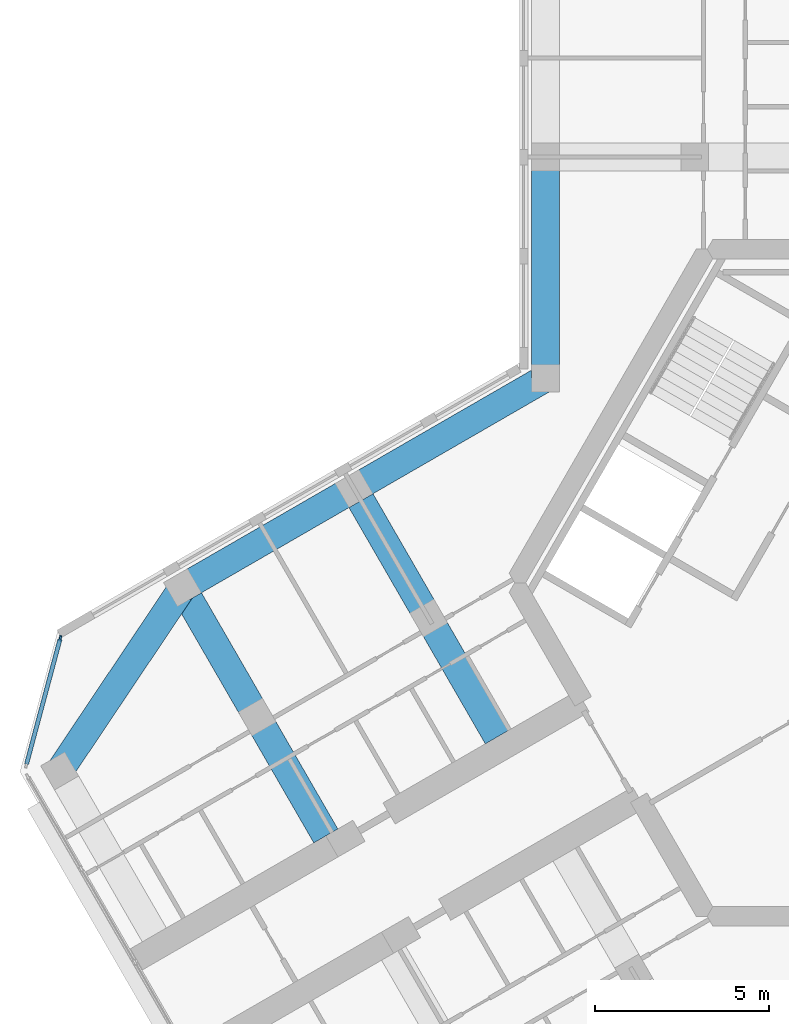
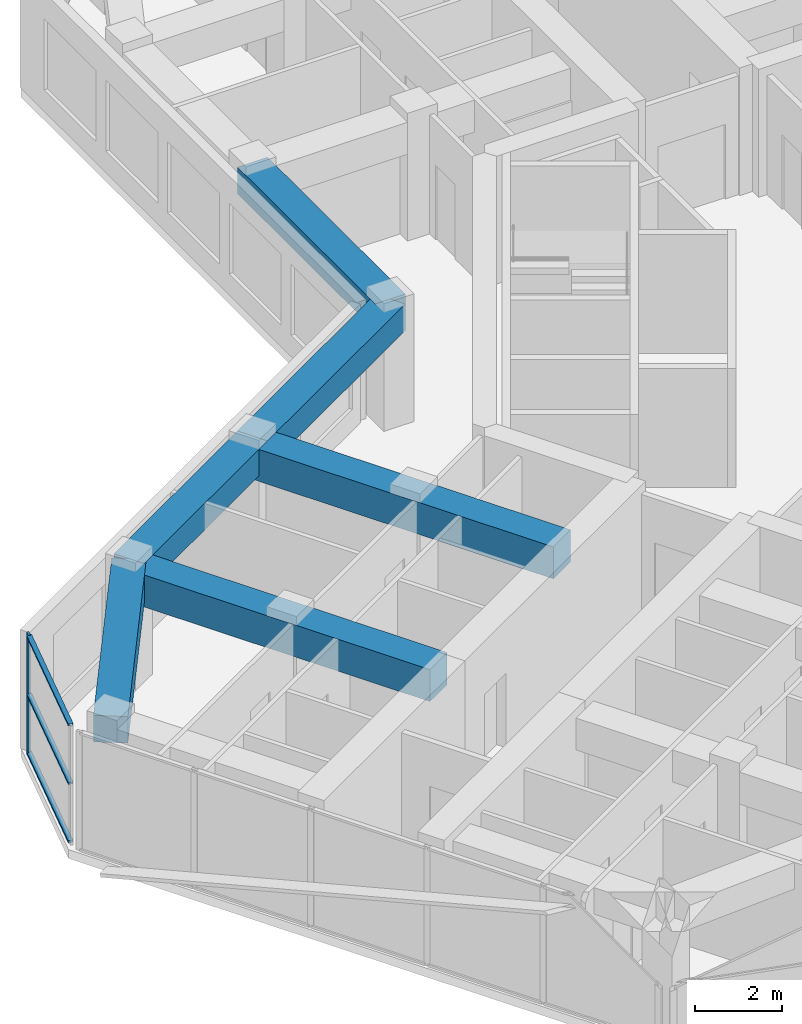
# One storey, part 3 of 14: 6 beams, 4 members, 1 element without a shape of its own.
"""IFC4 building model written with IfcOpenShell, lengths in metres."""

import ifcopenshell
import ifcopenshell.guid

model = None  # the IFC model being written
_history = None  # IfcOwnerHistory: only IFC2X3 demands one
_inside = {}  # id of a spatial element -> (the spatial element, [elements in it])
_under = {}  # id of a project, library or spatial element -> (it, [spatial elements below it])
_declared = {}  # id of a project -> (the project, [libraries it declares])
_typed = {}  # id of a type object -> (the type object, [elements of that type])
_made_of = {}  # id of a material, layer set ... -> (it, [elements and type objects made of it])


def new_model(schema):
    """Start an empty IFC model of exactly this schema.

    Asked for "IFC4X3", IfcOpenShell would pick the latest addendum, in which some entities
    have other attributes; the version numbers below select the first issue.
    IFC2X3 requires an IfcOwnerHistory on every rooted entity: one is made here for all.
    """
    global model, _history
    if schema == "IFC4X3":
        model = ifcopenshell.file(schema_version=(4, 3, 0, 0))
    else:
        model = ifcopenshell.file(schema=schema)
    _inside.clear()
    _under.clear()
    _declared.clear()
    _typed.clear()
    _made_of.clear()
    _history = None
    if model.schema == "IFC2X3":
        org = make("IfcOrganization", Name="unknown")
        user = make(
            "IfcPersonAndOrganization",
            ThePerson=make("IfcPerson", FamilyName="unknown"),
            TheOrganization=org,
        )
        app = make(
            "IfcApplication",
            ApplicationDeveloper=org,
            Version="unknown",
            ApplicationFullName="unknown",
            ApplicationIdentifier="unknown",
        )
        _history = make(
            "IfcOwnerHistory",
            OwningUser=user,
            OwningApplication=app,
            ChangeAction="ADDED",
            CreationDate=0,
        )
    return model


def make(cls, **values):
    """One entity of the class cls with the attributes given. An attribute that is None is left unset."""
    return model.create_entity(
        cls, **{name: value for name, value in values.items() if value is not None}
    )


def rooted(cls, **values):
    """An entity with a GlobalId (a new one), such as an element, a storey or a relation."""
    return make(cls, GlobalId=ifcopenshell.guid.new(), OwnerHistory=_history, **values)


def si_unit(unit_type, name, prefix=None):
    """IfcSIUnit, for example si_unit("LENGTHUNIT", "METRE", prefix="MILLI")."""
    return make("IfcSIUnit", UnitType=unit_type, Prefix=prefix, Name=name)


def assignment(units):
    """IfcUnitAssignment: the units of a project."""
    return None if units is None else make("IfcUnitAssignment", Units=units)


def point(xyz):
    """IfcCartesianPoint."""
    return None if xyz is None else make("IfcCartesianPoint", Coordinates=xyz)


def direction(xyz):
    """IfcDirection."""
    return None if xyz is None else make("IfcDirection", DirectionRatios=xyz)


def frame(location, z_axis=None, x_axis=None):
    """IfcAxis2Placement3D, a coordinate frame: its origin and axes. An axis left out is left unset."""
    return make(
        "IfcAxis2Placement3D",
        Location=point(location),
        Axis=direction(z_axis),
        RefDirection=direction(x_axis),
    )


def frame_2d(location, x_axis=None):
    """IfcAxis2Placement2D, a coordinate frame in the plane: its origin and x axis."""
    return make(
        "IfcAxis2Placement2D", Location=point(location), RefDirection=direction(x_axis)
    )


def origin():
    """The frame at (0, 0, 0) with its axes left unset."""
    return frame((0.0, 0.0, 0.0))


def origin_2d():
    """The frame at (0, 0) in the plane with its x axis left unset."""
    return frame_2d((0.0, 0.0))


def place(relative_to, where):
    """IfcLocalPlacement: puts the frame where relative to a parent placement (None: the world)."""
    return make(
        "IfcLocalPlacement", PlacementRelTo=relative_to, RelativePlacement=where
    )


def context(
    kind, dimensions, precision=None, world=None, true_north=None, identifier=None
):
    """IfcGeometricRepresentationContext, for example the 3D "Model" context."""
    return make(
        "IfcGeometricRepresentationContext",
        ContextIdentifier=identifier,
        ContextType=kind,
        CoordinateSpaceDimension=dimensions,
        Precision=precision,
        WorldCoordinateSystem=world,
        TrueNorth=true_north,
    )


def subcontext(parent, identifier, kind, view, scale=None):
    """IfcGeometricRepresentationSubContext, for example "Body" below "Model"."""
    return make(
        "IfcGeometricRepresentationSubContext",
        ContextIdentifier=identifier,
        ContextType=kind,
        ParentContext=parent,
        TargetScale=scale,
        TargetView=view,
    )


def project(units=None, contexts=None):
    """IfcProject with its units and contexts."""
    return rooted(
        "IfcProject",
        Name="project",
        RepresentationContexts=contexts,
        UnitsInContext=assignment(units),
    )


def spatial(cls, under=None, at=None, **own):
    """A site, building, storey or space (cls), placed at a placement, below another one or the project."""
    s = rooted(cls, ObjectPlacement=at, **own)
    if under is not None:
        _under.setdefault(under.id(), (under, []))[1].append(s)
    return s


def profile(cls, at=None, kind="AREA", **sizes):
    """A parametric profile (cls). Its sizes go by their IFC names, for example OverallWidth=200.0."""
    return make(cls, ProfileType=kind, Position=at, **sizes)


def rectangle(**sizes):
    """IfcRectangleProfileDef."""
    return profile("IfcRectangleProfileDef", **sizes)


def extrude(swept, where, along, depth):
    """IfcExtrudedAreaSolid: the profile swept, set in the frame where, extruded along a direction by depth."""
    return make(
        "IfcExtrudedAreaSolid",
        SweptArea=swept,
        Position=where,
        ExtrudedDirection=direction(along),
        Depth=depth,
    )


def shape(context_of_items, identifier, shape_type, items):
    """IfcShapeRepresentation: the items that make up one representation, for example the "Body"."""
    return make(
        "IfcShapeRepresentation",
        ContextOfItems=context_of_items,
        RepresentationIdentifier=identifier,
        RepresentationType=shape_type,
        Items=items,
    )


def material(Name=None, Category=None):
    """IfcMaterial."""
    return make("IfcMaterial", Name=Name, Category=Category)


def material_profile(
    of_material, cross_section, Name=None, Category=None, Priority=None
):
    """IfcMaterialProfile: a cross section and its material."""
    return make(
        "IfcMaterialProfile",
        Name=Name,
        Material=of_material,
        Profile=cross_section,
        Priority=Priority,
        Category=Category,
    )


def profile_set(profiles, Name=None, composite=None):
    """IfcMaterialProfileSet."""
    return make(
        "IfcMaterialProfileSet",
        Name=Name,
        MaterialProfiles=profiles,
        CompositeProfile=composite,
    )


def made_of(thing, what):
    """Note that an element or type object is made of a material, layer set ...; save() writes the relation."""
    if what is not None:
        _made_of.setdefault(what.id(), (what, []))[1].append(thing)
    return thing


def type_object(cls, material=None, **own):
    """A type object (cls), such as IfcWallType, which elements share."""
    return made_of(rooted(cls, **own), material)


def element(
    cls,
    number,
    at=None,
    inside=None,
    cuts=None,
    type_object=None,
    material=None,
    context=None,
    identifier="Body",
    shape_type=None,
    held_by="IfcProductDefinitionShape",
    body=None,
    shapes=None,
    **own,
):
    """One element of the class cls, such as IfcWall. Its Tag is "e" and its number.

    at: its placement. inside: the storey or other place that contains it. cuts: it is an
    opening in that element (IfcRelVoidsElement). A single representation is given by context,
    identifier, shape_type and body (its items); several are given by shapes. held_by: the class
    of the entity that holds the representations. save() writes the other relations.
    """
    e = rooted(cls, Tag="e%d" % number, ObjectPlacement=at, **own)
    if body is not None:
        shapes = [shape(context, identifier, shape_type, body)]
    if shapes is not None:
        e.Representation = make(held_by, Representations=shapes)
    if inside is not None:
        _inside.setdefault(inside.id(), (inside, []))[1].append(e)
    if cuts is not None:
        rooted(
            "IfcRelVoidsElement", RelatingBuildingElement=cuts, RelatedOpeningElement=e
        )
    if type_object is not None:
        _typed.setdefault(type_object.id(), (type_object, []))[1].append(e)
    return made_of(e, material)


def aggregate(whole, parts):
    """IfcRelAggregates: a whole, such as a stair, and the parts it consists of."""
    return rooted("IfcRelAggregates", RelatingObject=whole, RelatedObjects=parts)


def save(model, path):
    """Write the relations noted so far, then the file.

    IfcRelAggregates (storeys below a building ...), IfcRelContainedInSpatialStructure (elements
    in a storey), IfcRelDefinesByType, IfcRelAssociatesMaterial and IfcRelDeclares: one each for
    every whole, place, type object, material and project.
    """
    for whole, parts in _under.values():
        aggregate(whole, parts)
    for where, things in _inside.values():
        rooted(
            "IfcRelContainedInSpatialStructure",
            RelatedElements=things,
            RelatingStructure=where,
        )
    for kind, things in _typed.values():
        rooted("IfcRelDefinesByType", RelatedObjects=things, RelatingType=kind)
    for what, things in _made_of.values():
        rooted("IfcRelAssociatesMaterial", RelatedObjects=things, RelatingMaterial=what)
    for by, libraries in _declared.values():
        rooted("IfcRelDeclares", RelatingContext=by, RelatedDefinitions=libraries)
    model.write(path)


model = new_model("IFC4")

# Units and contexts
model_context = context("Model", 3, precision=1e-05, world=origin(), true_north=direction((0.0, 1.0)))
body_context = subcontext(model_context, "Body", "Model", "MODEL_VIEW")
ifc_project = project(units=[si_unit("LENGTHUNIT", "METRE"), si_unit("AREAUNIT", "SQUARE_METRE"), si_unit("VOLUMEUNIT", "CUBIC_METRE"), si_unit("PLANEANGLEUNIT", "RADIAN"), si_unit("MASSUNIT", "GRAM", prefix="KILO")], contexts=[model_context])

# Site, building, storey
site_placement = place(None, origin())
site = spatial("IfcSite", under=ifc_project, at=site_placement, CompositionType="ELEMENT")
building_placement = place(site_placement, origin())
building = spatial("IfcBuilding", under=site, at=building_placement, Name="Kosmar Iwan School Tower", CompositionType="ELEMENT")
storey_placement = place(building_placement, frame((0.0, 0.0, 278.199951171875)))
storey = spatial("IfcBuildingStorey", under=building, at=storey_placement, Name="L70", CompositionType="ELEMENT", Elevation=278.199951171875)

# Curtain wall, member
ifc_material_1 = material(Name="Dark glass in black aluminium frame", Category="aluminium")
curtain_wall_type = type_object("IfcCurtainWallType", Name="Chamfer curtain wall dark glass", PredefinedType="USERDEFINED", material=ifc_material_1)
curtain_wall_placement = place(storey_placement, origin())
curtain_wall = element("IfcCurtainWall", 1, at=curtain_wall_placement, inside=storey, type_object=curtain_wall_type, Name="Curtain wall L70-F12", ObjectType="FACETED CURTAIN WALL", PredefinedType="USERDEFINED")
ifc_material_2 = material(Name="Black anodised aluminium", Category="aluminium")
ifc_material_profile_1 = material_profile(ifc_material_2, rectangle(XDim=0.06005859375, YDim=0.159912109375, at=origin_2d()), Name="MULLION 60x160")
ifc_profile_set_1 = profile_set([ifc_material_profile_1], Name="Black anodised aluminium")
member_type_1 = type_object("IfcMemberType", Name="Mullion 60x160", PredefinedType="MULLION", material=ifc_profile_set_1)
member_1_placement = place(storey_placement, frame((-24.163818359375, -1.59814453125, 0.0), z_axis=(0.0, 0.0, 1.0), x_axis=(0.965925875495, -0.258818861462, 0.0)))
member_1 = element("IfcMember", 2, at=member_1_placement, type_object=member_type_1, Name="CW2 mullion 1", PredefinedType="MULLION", context=body_context, shape_type="SweptSolid", body=[
    extrude(rectangle(XDim=0.06005859375, YDim=0.159912109375, at=origin_2d()), origin(), (0.0, 0.0, 1.0), 3.35009765625),
])

# Beams
ifc_material_3 = material(Name="Concrete C50/60", Category="concrete")
ifc_material_profile_2 = material_profile(ifc_material_3, rectangle(XDim=0.800048828125, YDim=0.75, at=origin_2d()), Name="RC 800x750")
ifc_profile_set_2 = profile_set([ifc_material_profile_2], Name="Concrete C50/60")
beam_type_1 = type_object("IfcBeamType", Name="RC edge beam 800x750", PredefinedType="BEAM", material=ifc_profile_set_2)
beam_1_placement = place(storey_placement, frame((-10.199951171875, 5.888916015625, 2.97509765625), z_axis=(0.0, 1.0, 0.0), x_axis=(-1.0, 0.0, 0.0)))
element("IfcBeam", 3, at=beam_1_placement, inside=storey, type_object=beam_type_1, Name="Edge beam AL1", PredefinedType="BEAM", context=body_context, shape_type="SweptSolid", body=[
    extrude(rectangle(XDim=0.800048828125, YDim=0.75, at=origin_2d()), origin(), (0.0, 0.0, 1.0), 6.361083984375),
])
beam_2_placement = place(storey_placement, frame((-10.199951171875, 5.888916015625, 2.97509765625), z_axis=(-0.866030912664, -0.49999045822, 0.0), x_axis=(0.49999045822, -0.866030912664, 0.0)))
element("IfcBeam", 4, at=beam_2_placement, inside=storey, type_object=beam_type_1, Name="Edge beam BR1", PredefinedType="BEAM", context=body_context, shape_type="SweptSolid", body=[
    extrude(rectangle(XDim=0.800048828125, YDim=0.75, at=origin_2d()), origin(), (0.0, 0.0, 1.0), 6.36083984375),
])
beam_3_placement = place(storey_placement, frame((-15.708740234375, 2.70849609375, 2.97509765625), z_axis=(-0.866025820012, -0.499999279071, 0.0), x_axis=(0.499999279071, -0.866025820012, 0.0)))
element("IfcBeam", 5, at=beam_3_placement, inside=storey, type_object=beam_type_1, Name="Edge beam BR2", PredefinedType="BEAM", context=body_context, shape_type="SweptSolid", body=[
    extrude(rectangle(XDim=0.800048828125, YDim=0.75, at=origin_2d()), origin(), (0.0, 0.0, 1.0), 5.7001953125),
])
ifc_material_4 = material(Name="Concrete C50/60", Category="concrete")
ifc_material_profile_3 = material_profile(ifc_material_4, rectangle(XDim=0.800048828125, YDim=0.75, at=origin_2d()), Name="RC 800x750")
ifc_profile_set_3 = profile_set([ifc_material_profile_3], Name="Concrete C50/60")
beam_type_2 = type_object("IfcBeamType", Name="RC tip beam 800x750", PredefinedType="BEAM", material=ifc_profile_set_3)
beam_4_placement = place(storey_placement, frame((-20.645263671875, -0.1416015625, 2.97509765625), z_axis=(-0.556827604145, -0.83062808721, 0.0), x_axis=(0.83062808721, -0.556827604145, 0.0)))
element("IfcBeam", 6, at=beam_4_placement, inside=storey, type_object=beam_type_2, Name="Tip beam BR", PredefinedType="BEAM", context=body_context, shape_type="SweptSolid", body=[
    extrude(rectangle(XDim=0.800048828125, YDim=0.75, at=origin_2d()), origin(), (0.0, 0.0, 1.0), 6.3505859375),
])
ifc_material_5 = material(Name="Concrete C50/60", Category="concrete")
ifc_material_profile_4 = material_profile(ifc_material_5, rectangle(XDim=0.800048828125, YDim=0.89990234375, at=origin_2d()), Name="RC 800x900")
ifc_profile_set_4 = profile_set([ifc_material_profile_4], Name="Concrete C50/60")
beam_type_3 = type_object("IfcBeamType", Name="RC transverse beam 800x900", PredefinedType="BEAM", material=ifc_profile_set_4)
beam_5_placement = place(storey_placement, frame((-15.708740234375, 2.70849609375, 2.900146484375), z_axis=(0.499996545922, -0.866027397988, 0.0), x_axis=(0.866027397988, 0.499996545922, 0.0)))
element("IfcBeam", 7, at=beam_5_placement, inside=storey, type_object=beam_type_3, Name="Transverse beam BR1", PredefinedType="BEAM", context=body_context, shape_type="SweptSolid", body=[
    extrude(rectangle(XDim=0.800048828125, YDim=0.89990234375, at=origin_2d()), origin(), (0.0, 0.0, 1.0), 8.25),
])
beam_6_placement = place(storey_placement, frame((-20.645263671875, -0.1416015625, 2.900146484375), z_axis=(0.500009360108, -0.866019999656, 0.0), x_axis=(0.866019999656, 0.500009360108, 0.0)))
element("IfcBeam", 8, at=beam_6_placement, inside=storey, type_object=beam_type_3, Name="Transverse beam BR2", PredefinedType="BEAM", context=body_context, shape_type="SweptSolid", body=[
    extrude(rectangle(XDim=0.800048828125, YDim=0.89990234375, at=origin_2d()), origin(), (0.0, 0.0, 1.0), 8.249755859375),
])

# Member
ifc_material_6 = material(Name="Black anodised aluminium", Category="aluminium")
ifc_material_profile_5 = material_profile(ifc_material_6, rectangle(XDim=0.1201171875, YDim=0.06005859375, at=origin_2d()), Name="TRANSOM 60x120")
ifc_profile_set_5 = profile_set([ifc_material_profile_5], Name="Black anodised aluminium")
member_type_2 = type_object("IfcMemberType", Name="Transom 60x120", PredefinedType="USERDEFINED", material=ifc_profile_set_5)
member_2_placement = place(storey_placement, frame((-24.17138671875, -1.627197265625, 0.030029296875), z_axis=(-0.258843273983, -0.965919333854, 0.0), x_axis=(0.965919333854, -0.258843273983, 0.0)))
member_2 = element("IfcMember", 9, at=member_2_placement, type_object=member_type_2, Name="CW2 transom 1.1", ObjectType="TRANSOM", PredefinedType="USERDEFINED", context=body_context, shape_type="SweptSolid", body=[
    extrude(rectangle(XDim=0.1201171875, YDim=0.06005859375, at=origin_2d()), origin(), (0.0, 0.0, 1.0), 3.718994140625),
])

member_3_placement = place(storey_placement, frame((-24.17138671875, -1.627197265625, 1.675048828125), z_axis=(-0.258843273983, -0.965919333854, 0.0), x_axis=(0.965919333854, -0.258843273983, 0.0)))
member_3 = element("IfcMember", 10, at=member_3_placement, type_object=member_type_2, Name="CW2 transom 1.2", ObjectType="TRANSOM", PredefinedType="USERDEFINED", context=body_context, shape_type="SweptSolid", body=[
    extrude(rectangle(XDim=0.1201171875, YDim=0.06005859375, at=origin_2d()), origin(), (0.0, 0.0, 1.0), 3.718994140625),
])

member_4_placement = place(storey_placement, frame((-24.17138671875, -1.627197265625, 3.320068359375), z_axis=(-0.258843273983, -0.965919333854, 0.0), x_axis=(0.965919333854, -0.258843273983, 0.0)))
member_4 = element("IfcMember", 11, at=member_4_placement, type_object=member_type_2, Name="CW2 transom 1.3", ObjectType="TRANSOM", PredefinedType="USERDEFINED", context=body_context, shape_type="SweptSolid", body=[
    extrude(rectangle(XDim=0.1201171875, YDim=0.06005859375, at=origin_2d()), origin(), (0.0, 0.0, 1.0), 3.718994140625),
])

aggregate(curtain_wall, [member_1, member_2, member_3, member_4])

save(model, "model.ifc")
